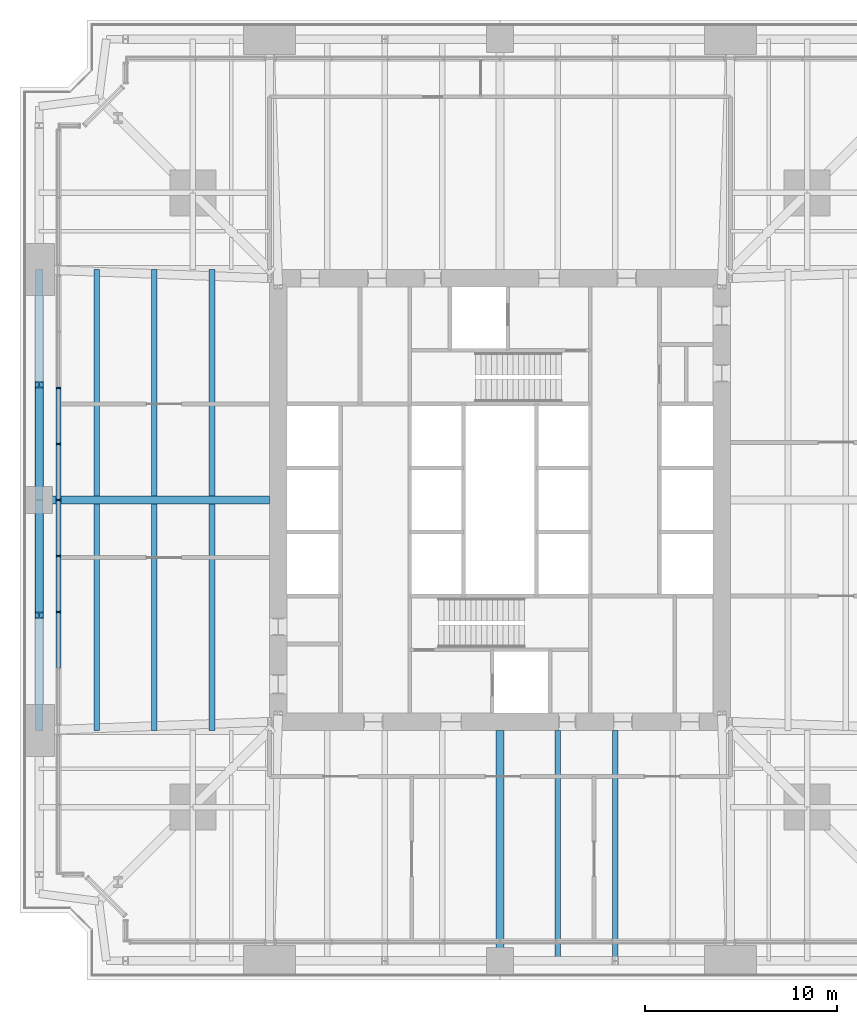
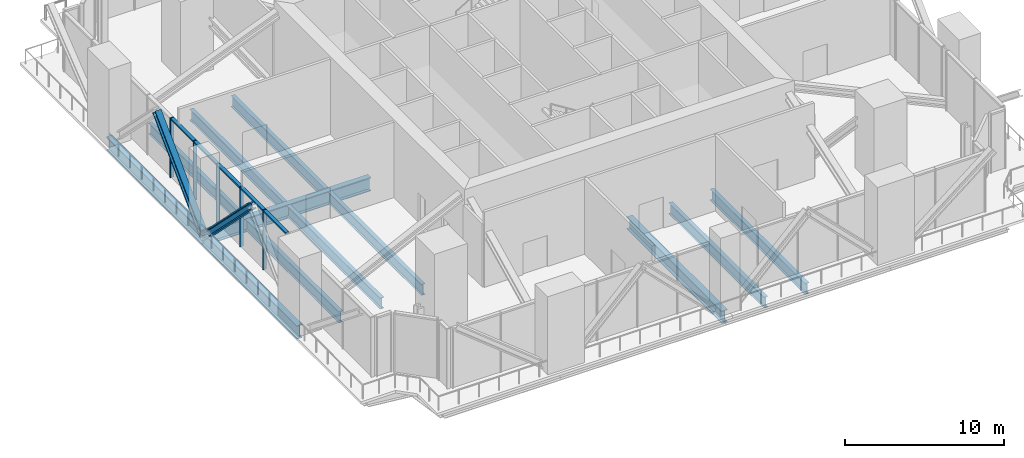
# One storey, part 3 of 13: 12 beams, 12 members, 1 element without a shape of its own.
"""IFC4 building model written with IfcOpenShell, lengths in metres."""

from ifc_helpers import new_model, si_unit, direction, frame, origin, origin_2d, place, context, subcontext, project, spatial, rectangle, i_section, extrude, material, material_profile, profile_set, type_object, element, aggregate, save


model = new_model("IFC4")

# Units and contexts
model_context = context("Model", 3, precision=1e-05, world=origin(), true_north=direction((0.0, 1.0)))
body_context = subcontext(model_context, "Body", "Model", "MODEL_VIEW")
ifc_project = project(units=[si_unit("LENGTHUNIT", "METRE"), si_unit("AREAUNIT", "SQUARE_METRE"), si_unit("VOLUMEUNIT", "CUBIC_METRE"), si_unit("PLANEANGLEUNIT", "RADIAN"), si_unit("MASSUNIT", "GRAM", prefix="KILO")], contexts=[model_context])

# Site, building, storey
site_placement = place(None, origin())
site = spatial("IfcSite", under=ifc_project, at=site_placement, CompositionType="ELEMENT")
building_placement = place(site_placement, origin())
building = spatial("IfcBuilding", under=site, at=building_placement, Name="Fenwick Lantern Interchange", CompositionType="ELEMENT")
storey_placement = place(building_placement, frame((0.0, 0.0, 91.0)))
storey = spatial("IfcBuildingStorey", under=building, at=storey_placement, Name="L21", CompositionType="ELEMENT", Elevation=91.0)

# Members
ifc_material_1 = material(Name="Steel ASTM A992 Grade 50", Category="steel")
ifc_material_profile_1 = material_profile(ifc_material_1, i_section(OverallWidth=0.431884765625, OverallDepth=0.497802734375, WebThickness=0.0556640625, FlangeThickness=0.0888671875, at=origin_2d()), Name="W14X500")
ifc_profile_set_1 = profile_set([ifc_material_profile_1], Name="Steel ASTM A992 Grade 50")
member_type_1 = type_object("IfcMemberType", Name="BELT TRUSS DIAGONAL W14X500", PredefinedType="BRACE", material=ifc_profile_set_1)
for number, where, z_axis, x_axis, name in (
    (1, (1.0, 25.0, -0.64990234375), (0.0, 0.707106781187, 0.707106781187), (-1.0, 0.0, 0.0), "L21/BT/W/D3"),
    (2, (1.0, 25.0, -0.64990234375), (0.0, -0.707106781187, 0.707106781187), (1.0, 0.0, 0.0), "L21/BT/W/D4"),
):
    element("IfcMember", number, at=place(storey_placement, frame(where, z_axis=z_axis, x_axis=x_axis)), inside=storey, type_object=member_type_1, Name=name, PredefinedType="BRACE", context=body_context, shape_type="SweptSolid", body=[
        extrude(i_section(OverallWidth=0.431884765625, OverallDepth=0.497802734375, WebThickness=0.0556640625, FlangeThickness=0.0888671875, at=origin_2d()), origin(), (0.0, 0.0, 1.0), 8.4853515625),
    ])

# Beams
ifc_material_profile_2 = material_profile(ifc_material_1, i_section(OverallWidth=0.408935546875, OverallDepth=1.04150390625, WebThickness=0.031005859375, FlangeThickness=0.055908203125, at=origin_2d()), Name="W40X397")
ifc_profile_set_2 = profile_set([ifc_material_profile_2], Name="Steel ASTM A992 Grade 50")
beam_type_1 = type_object("IfcBeamType", Name="EDGE BEAM W40X397", PredefinedType="SPANDREL", material=ifc_profile_set_2)
for number, where, z_axis, x_axis, name in (
    (3, (1.0, 37.0, -0.720703125), (0.0, -1.0, 0.0), (1.0, 0.0, 0.0), "L21/FR/W/EB2"),
    (4, (1.0, 25.0, -0.720703125), (0.0, -1.0, 0.0), (1.0, 0.0, 0.0), "L21/FR/W/EB3"),
):
    element("IfcBeam", number, at=place(storey_placement, frame(where, z_axis=z_axis, x_axis=x_axis)), inside=storey, type_object=beam_type_1, Name=name, PredefinedType="SPANDREL", context=body_context, shape_type="SweptSolid", body=[
        extrude(i_section(OverallWidth=0.408935546875, OverallDepth=1.04150390625, WebThickness=0.031005859375, FlangeThickness=0.055908203125, at=origin_2d()), origin(), (0.0, 0.0, 1.0), 12.0),
    ])
ifc_material_profile_3 = material_profile(ifc_material_1, i_section(OverallWidth=0.2919921875, OverallDepth=0.845703125, WebThickness=0.015380859375, FlangeThickness=0.0244140625, at=origin_2d()), Name="W33X141")
ifc_profile_set_3 = profile_set([ifc_material_profile_3], Name="Steel ASTM A992 Grade 50")
beam_type_2 = type_object("IfcBeamType", Name="FLOOR BEAM W33X141", PredefinedType="BEAM", material=ifc_profile_set_3)
for number, where, z_axis, x_axis, name in (
    (5, (28.0, 1.0, -0.622802734375), (0.0, 1.0, 0.0), (-1.0, 0.0, 0.0), "L21/FR/S/R06"),
    (6, (31.0, 1.0, -0.622802734375), (0.0, 1.0, 0.0), (-1.0, 0.0, 0.0), "L21/FR/S/R07"),
):
    element("IfcBeam", number, at=place(storey_placement, frame(where, z_axis=z_axis, x_axis=x_axis)), inside=storey, type_object=beam_type_2, Name=name, PredefinedType="BEAM", context=body_context, shape_type="SweptSolid", body=[
        extrude(i_section(OverallWidth=0.2919921875, OverallDepth=0.845703125, WebThickness=0.015380859375, FlangeThickness=0.0244140625, at=origin_2d()), origin(), (0.0, 0.0, 1.0), 12.0),
    ])
for number, where, z_axis, x_axis, name in (
    (7, (4.0, 37.0, -0.622802734375), (0.0, -1.0, 0.0), (1.0, 0.0, 0.0), "L21/FR/W/B01"),
    (8, (7.0, 37.0, -0.622802734375), (0.0, -1.0, 0.0), (1.0, 0.0, 0.0), "L21/FR/W/B02"),
    (9, (10.0, 37.0, -0.622802734375), (0.0, -1.0, 0.0), (1.0, 0.0, 0.0), "L21/FR/W/B03"),
    (10, (4.0, 24.79541015625, -0.622802734375), (0.0, -1.0, 0.0), (1.0, 0.0, 0.0), "L21/FR/W/B04"),
    (11, (7.0, 24.79541015625, -0.622802734375), (0.0, -1.0, 0.0), (1.0, 0.0, 0.0), "L21/FR/W/B05"),
    (12, (10.0, 24.79541015625, -0.622802734375), (0.0, -1.0, 0.0), (1.0, 0.0, 0.0), "L21/FR/W/B06"),
):
    element("IfcBeam", number, at=place(storey_placement, frame(where, z_axis=z_axis, x_axis=x_axis)), inside=storey, type_object=beam_type_2, Name=name, PredefinedType="BEAM", context=body_context, shape_type="SweptSolid", body=[
        extrude(i_section(OverallWidth=0.2919921875, OverallDepth=0.845703125, WebThickness=0.015380859375, FlangeThickness=0.0244140625, at=origin_2d()), origin(), (0.0, 0.0, 1.0), 11.79541015625),
    ])
ifc_material_profile_4 = material_profile(ifc_material_1, i_section(OverallWidth=0.424072265625, OverallDepth=0.947509765625, WebThickness=0.02392578125, FlangeThickness=0.042724609375, at=origin_2d()), Name="W36X302")
ifc_profile_set_4 = profile_set([ifc_material_profile_4], Name="Steel ASTM A992 Grade 50")
beam_type_3 = type_object("IfcBeamType", Name="MOMENT-CONNECTED GIRDER W36X302", PredefinedType="BEAM", material=ifc_profile_set_4)
beam_1_placement = place(storey_placement, frame((25.0, 1.0, -0.673828125), z_axis=(0.0, 1.0, 0.0), x_axis=(-1.0, 0.0, 0.0)))
element("IfcBeam", 13, at=beam_1_placement, inside=storey, type_object=beam_type_3, Name="L21/FR/S/R05", PredefinedType="BEAM", context=body_context, shape_type="SweptSolid", body=[
    extrude(i_section(OverallWidth=0.424072265625, OverallDepth=0.947509765625, WebThickness=0.02392578125, FlangeThickness=0.042724609375, at=origin_2d()), origin(), (0.0, 0.0, 1.0), 12.0),
])
ifc_material_profile_5 = material_profile(ifc_material_1, i_section(OverallWidth=0.408935546875, OverallDepth=1.04150390625, WebThickness=0.031005859375, FlangeThickness=0.055908203125, at=origin_2d()), Name="W40X397")
ifc_profile_set_5 = profile_set([ifc_material_profile_5], Name="Steel ASTM A992 Grade 50")
beam_type_4 = type_object("IfcBeamType", Name="MOMENT-CONNECTED GIRDER W40X397", PredefinedType="BEAM", material=ifc_profile_set_5)
beam_2_placement = place(storey_placement, frame((1.0, 25.0, -0.720703125), z_axis=(1.0, 0.0, 0.0), x_axis=(0.0, 1.0, 0.0)))
element("IfcBeam", 14, at=beam_2_placement, inside=storey, type_object=beam_type_4, Name="L21/FR/W/R02", PredefinedType="BEAM", context=body_context, shape_type="SweptSolid", body=[
    extrude(i_section(OverallWidth=0.408935546875, OverallDepth=1.04150390625, WebThickness=0.031005859375, FlangeThickness=0.055908203125, at=origin_2d()), origin(), (0.0, 0.0, 1.0), 12.0),
])

# Curtain wall, members
ifc_material_2 = material(Name="Aluminium curtain wall frame", Category="aluminium")
curtain_wall_type = type_object("IfcCurtainWallType", Name="PLANT LOUVRE SCREEN", PredefinedType="USERDEFINED", material=ifc_material_2)
curtain_wall_placement = place(storey_placement, origin())
curtain_wall = element("IfcCurtainWall", 15, at=curtain_wall_placement, inside=storey, type_object=curtain_wall_type, Name="Plant louvre screen 12B", ObjectType="PLANT LOUVRE SCREEN", PredefinedType="USERDEFINED")
ifc_material_3 = material(Name="Aluminium extrusion", Category="aluminium")
ifc_material_profile_6 = material_profile(ifc_material_3, rectangle(XDim=0.25, YDim=0.074951171875, at=origin_2d()), Name="PLANT LOUVRE SCREEN MULLION 75 X 250")
ifc_profile_set_6 = profile_set([ifc_material_profile_6], Name="Aluminium extrusion")
member_type_2 = type_object("IfcMemberType", Name="PLANT LOUVRE SCREEN MULLION 75 X 250", PredefinedType="MULLION", material=ifc_profile_set_6)
member_1_placement = place(storey_placement, frame((2.0, 30.84130859375, 0.0), z_axis=(0.0, 0.0, 1.0), x_axis=(1.0, 0.0, 0.0)))
member_1 = element("IfcMember", 16, at=member_1_placement, type_object=member_type_2, Name="L21/CW/12B/M02", PredefinedType="MULLION", context=body_context, shape_type="SweptSolid", body=[
    extrude(rectangle(XDim=0.25, YDim=0.074951171875, at=origin_2d()), origin(), (0.0, 0.0, 1.0), 4.60009765625),
])
member_2_placement = place(storey_placement, frame((2.0, 27.920654296875, 0.0), z_axis=(0.0, 0.0, 1.0), x_axis=(1.0, 0.0, 0.0)))
member_2 = element("IfcMember", 17, at=member_2_placement, type_object=member_type_2, Name="L21/CW/12B/M03", PredefinedType="MULLION", context=body_context, shape_type="SweptSolid", body=[
    extrude(rectangle(XDim=0.25, YDim=0.074951171875, at=origin_2d()), origin(), (0.0, 0.0, 1.0), 4.60009765625),
])
member_3_placement = place(storey_placement, frame((2.0, 25.0, 0.0), z_axis=(0.0, 0.0, 1.0), x_axis=(1.0, 0.0, 0.0)))
member_3 = element("IfcMember", 18, at=member_3_placement, type_object=member_type_2, Name="L21/CW/12B/M04", PredefinedType="MULLION", context=body_context, shape_type="SweptSolid", body=[
    extrude(rectangle(XDim=0.25, YDim=0.074951171875, at=origin_2d()), origin(), (0.0, 0.0, 1.0), 4.60009765625),
])
member_4_placement = place(storey_placement, frame((2.0, 22.079345703125, 0.0), z_axis=(0.0, 0.0, 1.0), x_axis=(1.0, 0.0, 0.0)))
member_4 = element("IfcMember", 19, at=member_4_placement, type_object=member_type_2, Name="L21/CW/12B/M05", PredefinedType="MULLION", context=body_context, shape_type="SweptSolid", body=[
    extrude(rectangle(XDim=0.25, YDim=0.074951171875, at=origin_2d()), origin(), (0.0, 0.0, 1.0), 4.60009765625),
])
member_5_placement = place(storey_placement, frame((2.0, 19.15869140625, 0.0), z_axis=(0.0, 0.0, 1.0), x_axis=(1.0, 0.0, 0.0)))
member_5 = element("IfcMember", 20, at=member_5_placement, type_object=member_type_2, Name="L21/CW/12B/M06", PredefinedType="MULLION", context=body_context, shape_type="SweptSolid", body=[
    extrude(rectangle(XDim=0.25, YDim=0.074951171875, at=origin_2d()), origin(), (0.0, 0.0, 1.0), 4.60009765625),
])
ifc_material_profile_7 = material_profile(ifc_material_3, rectangle(XDim=0.25, YDim=0.1201171875, at=origin_2d()), Name="PLANT LOUVRE SCREEN TRANSOM 120 X 250")
ifc_profile_set_7 = profile_set([ifc_material_profile_7], Name="Aluminium extrusion")
member_type_3 = type_object("IfcMemberType", Name="PLANT LOUVRE SCREEN TRANSOM 120 X 250", PredefinedType="MULLION", material=ifc_profile_set_7)
member_6_placement = place(storey_placement, frame((2.0, 30.803955078125, 4.5400390625), z_axis=(0.0, -1.0, 0.0), x_axis=(1.0, 0.0, 0.0)))
member_6 = element("IfcMember", 21, at=member_6_placement, type_object=member_type_3, Name="L21/CW/12B/T02", PredefinedType="MULLION", context=body_context, shape_type="SweptSolid", body=[
    extrude(rectangle(XDim=0.25, YDim=0.1201171875, at=origin_2d()), origin(), (0.0, 0.0, 1.0), 2.845703125),
])
member_7_placement = place(storey_placement, frame((2.0, 27.88330078125, 4.5400390625), z_axis=(0.0, -1.0, 0.0), x_axis=(1.0, 0.0, 0.0)))
member_7 = element("IfcMember", 22, at=member_7_placement, type_object=member_type_3, Name="L21/CW/12B/T03", PredefinedType="MULLION", context=body_context, shape_type="SweptSolid", body=[
    extrude(rectangle(XDim=0.25, YDim=0.1201171875, at=origin_2d()), origin(), (0.0, 0.0, 1.0), 2.845703125),
])
member_8_placement = place(storey_placement, frame((2.0, 24.96240234375, 4.5400390625), z_axis=(0.0, -1.0, 0.0), x_axis=(1.0, 0.0, 0.0)))
member_8 = element("IfcMember", 23, at=member_8_placement, type_object=member_type_3, Name="L21/CW/12B/T04", PredefinedType="MULLION", context=body_context, shape_type="SweptSolid", body=[
    extrude(rectangle(XDim=0.25, YDim=0.1201171875, at=origin_2d()), origin(), (0.0, 0.0, 1.0), 2.845703125),
])
member_9_placement = place(storey_placement, frame((2.0, 22.041748046875, 4.5400390625), z_axis=(0.0, -1.0, 0.0), x_axis=(1.0, 0.0, 0.0)))
member_9 = element("IfcMember", 24, at=member_9_placement, type_object=member_type_3, Name="L21/CW/12B/T05", PredefinedType="MULLION", context=body_context, shape_type="SweptSolid", body=[
    extrude(rectangle(XDim=0.25, YDim=0.1201171875, at=origin_2d()), origin(), (0.0, 0.0, 1.0), 2.845703125),
])
member_10_placement = place(storey_placement, frame((2.0, 19.12109375, 4.5400390625), z_axis=(0.0, -1.0, 0.0), x_axis=(1.0, 0.0, 0.0)))
member_10 = element("IfcMember", 25, at=member_10_placement, type_object=member_type_3, Name="L21/CW/12B/T06", PredefinedType="MULLION", context=body_context, shape_type="SweptSolid", body=[
    extrude(rectangle(XDim=0.25, YDim=0.1201171875, at=origin_2d()), origin(), (0.0, 0.0, 1.0), 2.845703125),
])
aggregate(curtain_wall, [member_1, member_2, member_3, member_4, member_5, member_6, member_7, member_8, member_9, member_10])

save(model, "model.ifc")
